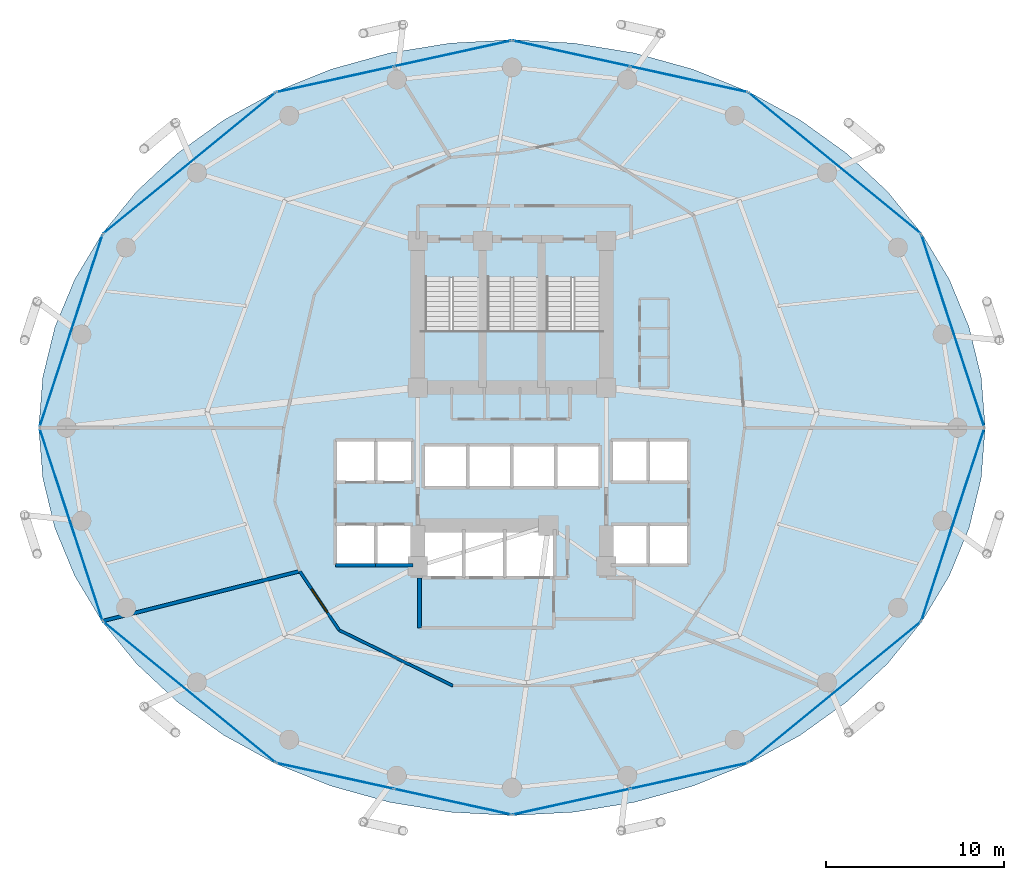
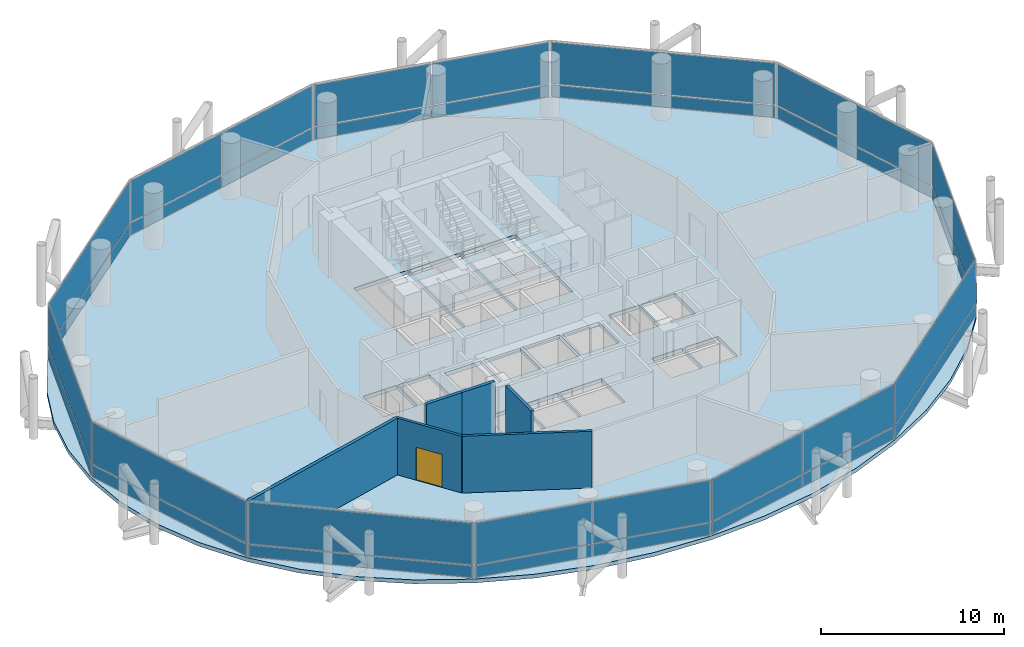
# One storey, part 20 of 24: 32 plates, 6 walls, 4 slabs, 1 door, 1 opening, 15 elements without a shape of their own.
"""IFC4 building model written with IfcOpenShell, lengths in metres."""

import ifcopenshell
import ifcopenshell.guid

model = None  # the IFC model being written
_history = None  # IfcOwnerHistory: only IFC2X3 demands one
_inside = {}  # id of a spatial element -> (the spatial element, [elements in it])
_under = {}  # id of a project, library or spatial element -> (it, [spatial elements below it])
_declared = {}  # id of a project -> (the project, [libraries it declares])
_typed = {}  # id of a type object -> (the type object, [elements of that type])
_made_of = {}  # id of a material, layer set ... -> (it, [elements and type objects made of it])


def new_model(schema):
    """Start an empty IFC model of exactly this schema.

    Asked for "IFC4X3", IfcOpenShell would pick the latest addendum, in which some entities
    have other attributes; the version numbers below select the first issue.
    IFC2X3 requires an IfcOwnerHistory on every rooted entity: one is made here for all.
    """
    global model, _history
    if schema == "IFC4X3":
        model = ifcopenshell.file(schema_version=(4, 3, 0, 0))
    else:
        model = ifcopenshell.file(schema=schema)
    _inside.clear()
    _under.clear()
    _declared.clear()
    _typed.clear()
    _made_of.clear()
    _history = None
    if model.schema == "IFC2X3":
        org = make("IfcOrganization", Name="unknown")
        user = make(
            "IfcPersonAndOrganization",
            ThePerson=make("IfcPerson", FamilyName="unknown"),
            TheOrganization=org,
        )
        app = make(
            "IfcApplication",
            ApplicationDeveloper=org,
            Version="unknown",
            ApplicationFullName="unknown",
            ApplicationIdentifier="unknown",
        )
        _history = make(
            "IfcOwnerHistory",
            OwningUser=user,
            OwningApplication=app,
            ChangeAction="ADDED",
            CreationDate=0,
        )
    return model


def make(cls, **values):
    """One entity of the class cls with the attributes given. An attribute that is None is left unset."""
    return model.create_entity(
        cls, **{name: value for name, value in values.items() if value is not None}
    )


def rooted(cls, **values):
    """An entity with a GlobalId (a new one), such as an element, a storey or a relation."""
    return make(cls, GlobalId=ifcopenshell.guid.new(), OwnerHistory=_history, **values)


def si_unit(unit_type, name, prefix=None):
    """IfcSIUnit, for example si_unit("LENGTHUNIT", "METRE", prefix="MILLI")."""
    return make("IfcSIUnit", UnitType=unit_type, Prefix=prefix, Name=name)


def assignment(units):
    """IfcUnitAssignment: the units of a project."""
    return None if units is None else make("IfcUnitAssignment", Units=units)


def point(xyz):
    """IfcCartesianPoint."""
    return None if xyz is None else make("IfcCartesianPoint", Coordinates=xyz)


def direction(xyz):
    """IfcDirection."""
    return None if xyz is None else make("IfcDirection", DirectionRatios=xyz)


def frame(location, z_axis=None, x_axis=None):
    """IfcAxis2Placement3D, a coordinate frame: its origin and axes. An axis left out is left unset."""
    return make(
        "IfcAxis2Placement3D",
        Location=point(location),
        Axis=direction(z_axis),
        RefDirection=direction(x_axis),
    )


def frame_2d(location, x_axis=None):
    """IfcAxis2Placement2D, a coordinate frame in the plane: its origin and x axis."""
    return make(
        "IfcAxis2Placement2D", Location=point(location), RefDirection=direction(x_axis)
    )


def origin():
    """The frame at (0, 0, 0) with its axes left unset."""
    return frame((0.0, 0.0, 0.0))


def origin_2d():
    """The frame at (0, 0) in the plane with its x axis left unset."""
    return frame_2d((0.0, 0.0))


def place(relative_to, where):
    """IfcLocalPlacement: puts the frame where relative to a parent placement (None: the world)."""
    return make(
        "IfcLocalPlacement", PlacementRelTo=relative_to, RelativePlacement=where
    )


def context(
    kind, dimensions, precision=None, world=None, true_north=None, identifier=None
):
    """IfcGeometricRepresentationContext, for example the 3D "Model" context."""
    return make(
        "IfcGeometricRepresentationContext",
        ContextIdentifier=identifier,
        ContextType=kind,
        CoordinateSpaceDimension=dimensions,
        Precision=precision,
        WorldCoordinateSystem=world,
        TrueNorth=true_north,
    )


def subcontext(parent, identifier, kind, view, scale=None):
    """IfcGeometricRepresentationSubContext, for example "Body" below "Model"."""
    return make(
        "IfcGeometricRepresentationSubContext",
        ContextIdentifier=identifier,
        ContextType=kind,
        ParentContext=parent,
        TargetScale=scale,
        TargetView=view,
    )


def project(units=None, contexts=None):
    """IfcProject with its units and contexts."""
    return rooted(
        "IfcProject",
        Name="project",
        RepresentationContexts=contexts,
        UnitsInContext=assignment(units),
    )


def spatial(cls, under=None, at=None, **own):
    """A site, building, storey or space (cls), placed at a placement, below another one or the project."""
    s = rooted(cls, ObjectPlacement=at, **own)
    if under is not None:
        _under.setdefault(under.id(), (under, []))[1].append(s)
    return s


def polyline(points):
    """IfcPolyline through the points."""
    return make("IfcPolyline", Points=[point(p) for p in points])


def profile(cls, at=None, kind="AREA", **sizes):
    """A parametric profile (cls). Its sizes go by their IFC names, for example OverallWidth=200.0."""
    return make(cls, ProfileType=kind, Position=at, **sizes)


def rectangle(**sizes):
    """IfcRectangleProfileDef."""
    return profile("IfcRectangleProfileDef", **sizes)


def outline(outer, holes=None, kind="AREA"):
    """IfcArbitraryClosedProfileDef: a profile drawn as a closed curve; with holes, ...WithVoids."""
    if holes is None:
        return make("IfcArbitraryClosedProfileDef", ProfileType=kind, OuterCurve=outer)
    return make(
        "IfcArbitraryProfileDefWithVoids",
        ProfileType=kind,
        OuterCurve=outer,
        InnerCurves=holes,
    )


def extrude(swept, where, along, depth):
    """IfcExtrudedAreaSolid: the profile swept, set in the frame where, extruded along a direction by depth."""
    return make(
        "IfcExtrudedAreaSolid",
        SweptArea=swept,
        Position=where,
        ExtrudedDirection=direction(along),
        Depth=depth,
    )


def shape(context_of_items, identifier, shape_type, items):
    """IfcShapeRepresentation: the items that make up one representation, for example the "Body"."""
    return make(
        "IfcShapeRepresentation",
        ContextOfItems=context_of_items,
        RepresentationIdentifier=identifier,
        RepresentationType=shape_type,
        Items=items,
    )


def material(Name=None, Category=None):
    """IfcMaterial."""
    return make("IfcMaterial", Name=Name, Category=Category)


def layer(
    of_material, thickness, ventilated=None, Name=None, Category=None, Priority=None
):
    """IfcMaterialLayer: one layer of a wall or slab, of a material (None: an air gap)."""
    return make(
        "IfcMaterialLayer",
        Material=of_material,
        LayerThickness=thickness,
        IsVentilated=ventilated,
        Name=Name,
        Category=Category,
        Priority=Priority,
    )


def layer_set(layers, Name=None):
    """IfcMaterialLayerSet."""
    return make("IfcMaterialLayerSet", MaterialLayers=layers, LayerSetName=Name)


def made_of(thing, what):
    """Note that an element or type object is made of a material, layer set ...; save() writes the relation."""
    if what is not None:
        _made_of.setdefault(what.id(), (what, []))[1].append(thing)
    return thing


def type_object(cls, material=None, **own):
    """A type object (cls), such as IfcWallType, which elements share."""
    return made_of(rooted(cls, **own), material)


def element(
    cls,
    number,
    at=None,
    inside=None,
    cuts=None,
    type_object=None,
    material=None,
    context=None,
    identifier="Body",
    shape_type=None,
    held_by="IfcProductDefinitionShape",
    body=None,
    shapes=None,
    **own,
):
    """One element of the class cls, such as IfcWall. Its Tag is "e" and its number.

    at: its placement. inside: the storey or other place that contains it. cuts: it is an
    opening in that element (IfcRelVoidsElement). A single representation is given by context,
    identifier, shape_type and body (its items); several are given by shapes. held_by: the class
    of the entity that holds the representations. save() writes the other relations.
    """
    e = rooted(cls, Tag="e%d" % number, ObjectPlacement=at, **own)
    if body is not None:
        shapes = [shape(context, identifier, shape_type, body)]
    if shapes is not None:
        e.Representation = make(held_by, Representations=shapes)
    if inside is not None:
        _inside.setdefault(inside.id(), (inside, []))[1].append(e)
    if cuts is not None:
        rooted(
            "IfcRelVoidsElement", RelatingBuildingElement=cuts, RelatedOpeningElement=e
        )
    if type_object is not None:
        _typed.setdefault(type_object.id(), (type_object, []))[1].append(e)
    return made_of(e, material)


def fill(opening, filler):
    """IfcRelFillsElement: the door or window that sits in an opening."""
    return rooted(
        "IfcRelFillsElement",
        RelatingOpeningElement=opening,
        RelatedBuildingElement=filler,
    )


def aggregate(whole, parts):
    """IfcRelAggregates: a whole, such as a stair, and the parts it consists of."""
    return rooted("IfcRelAggregates", RelatingObject=whole, RelatedObjects=parts)


def save(model, path):
    """Write the relations noted so far, then the file.

    IfcRelAggregates (storeys below a building ...), IfcRelContainedInSpatialStructure (elements
    in a storey), IfcRelDefinesByType, IfcRelAssociatesMaterial and IfcRelDeclares: one each for
    every whole, place, type object, material and project.
    """
    for whole, parts in _under.values():
        aggregate(whole, parts)
    for where, things in _inside.values():
        rooted(
            "IfcRelContainedInSpatialStructure",
            RelatedElements=things,
            RelatingStructure=where,
        )
    for kind, things in _typed.values():
        rooted("IfcRelDefinesByType", RelatedObjects=things, RelatingType=kind)
    for what, things in _made_of.values():
        rooted("IfcRelAssociatesMaterial", RelatedObjects=things, RelatingMaterial=what)
    for by, libraries in _declared.values():
        rooted("IfcRelDeclares", RelatingContext=by, RelatedDefinitions=libraries)
    model.write(path)


model = new_model("IFC4")

# Units and contexts
model_context = context("Model", 3, precision=1e-05, world=origin(), true_north=direction((0.0, 1.0)))
body_context = subcontext(model_context, "Body", "Model", "MODEL_VIEW")
ifc_project = project(units=[si_unit("LENGTHUNIT", "METRE"), si_unit("AREAUNIT", "SQUARE_METRE"), si_unit("VOLUMEUNIT", "CUBIC_METRE"), si_unit("PLANEANGLEUNIT", "RADIAN"), si_unit("MASSUNIT", "GRAM", prefix="KILO")], contexts=[model_context])

# Site, building, storey
site_placement = place(None, origin())
site = spatial("IfcSite", under=ifc_project, at=site_placement, CompositionType="ELEMENT")
building_placement = place(site_placement, origin())
building = spatial("IfcBuilding", under=site, at=building_placement, Name="Nuhasar Tower", CompositionType="ELEMENT")
storey_placement = place(building_placement, frame((0.0, 0.0, 29.10009765625)))
storey = spatial("IfcBuildingStorey", under=building, at=storey_placement, Name="L06", CompositionType="ELEMENT", Elevation=29.10009765625)

# Curtain wall, plate
ifc_material_1 = material(Name="Aluminium 6063-T6", Category="aluminium")
ifc_layer_1 = layer(ifc_material_1, 0.199951171875)
ifc_layer_set_1 = layer_set([ifc_layer_1], Name="Aluminium 6063-T6")
curtain_wall_type = type_object("IfcCurtainWallType", Name="CW-Z1-OFF", PredefinedType="NOTDEFINED", material=ifc_layer_set_1)
curtain_wall_1_placement = place(storey_placement, origin())
curtain_wall_1 = element("IfcCurtainWall", 1, at=curtain_wall_1_placement, inside=storey, type_object=curtain_wall_type, Name="L06 Unitised Curtain Wall 01", PredefinedType="NOTDEFINED")
ifc_material_2 = material(Name="Glass Double Low-E", Category="glass")
ifc_layer_2 = layer(ifc_material_2, 0.028076171875)
ifc_layer_set_2 = layer_set([ifc_layer_2], Name="Glass Double Low-E")
plate_type_1 = type_object("IfcPlateType", Name="CW-PANEL-GLZ", PredefinedType="CURTAIN_PANEL", material=ifc_layer_set_2)
plate_1_placement = place(storey_placement, frame((63.781005859375, 32.239990234375, 0.932373046875), z_axis=(0.0, 0.0, 1.0), x_axis=(-0.310823849997, 0.950467534571, 0.0)))
plate_1 = element("IfcPlate", 2, at=plate_1_placement, type_object=plate_type_1, Name="CW-Z1 panel 1.2", PredefinedType="CURTAIN_PANEL", context=body_context, shape_type="SweptSolid", body=[
    extrude(rectangle(XDim=11.31689453125, YDim=0.028076171875, at=origin_2d()), origin(), (0.0, 0.0, 1.0), 2.79248046875),
])

curtain_wall_2_placement = place(storey_placement, origin())
curtain_wall_2 = element("IfcCurtainWall", 3, at=curtain_wall_2_placement, inside=storey, type_object=curtain_wall_type, Name="L06 Unitised Curtain Wall 02", PredefinedType="NOTDEFINED")
plate_2_placement = place(storey_placement, frame((57.14111328125, 41.66259765625, 0.932373046875), z_axis=(0.0, 0.0, 1.0), x_axis=(-0.773542364946, 0.633744593376, 0.0)))
plate_2 = element("IfcPlate", 4, at=plate_2_placement, type_object=plate_type_1, Name="CW-Z1 panel 1.2", PredefinedType="CURTAIN_PANEL", context=body_context, shape_type="SweptSolid", body=[
    extrude(rectangle(XDim=12.438232421875, YDim=0.028076171875, at=origin_2d()), origin(), (0.0, 0.0, 1.0), 2.79248046875),
])

# Curtain wall, plates
curtain_wall_3_placement = place(storey_placement, origin())
curtain_wall_3 = element("IfcCurtainWall", 5, at=curtain_wall_3_placement, inside=storey, type_object=curtain_wall_type, Name="L06 Unitised Curtain Wall 03", PredefinedType="NOTDEFINED")
plate_3_placement = place(storey_placement, frame((48.944091796875, 46.377197265625, 0.932373046875), z_axis=(0.0, 0.0, 1.0), x_axis=(-0.976746221544, 0.214398737637, 0.0)))
plate_3 = element("IfcPlate", 6, at=plate_3_placement, type_object=plate_type_1, Name="CW-Z1 panel 1.2", PredefinedType="CURTAIN_PANEL", context=body_context, shape_type="SweptSolid", body=[
    extrude(rectangle(XDim=6.70068359375, YDim=0.028076171875, at=origin_2d()), origin(), (0.0, 0.0, 1.0), 2.79248046875),
])
plate_4_placement = place(storey_placement, frame((42.3359375, 47.827880859375, 0.932373046875), z_axis=(0.0, 0.0, 1.0), x_axis=(-0.976746221544, 0.214398737637, 0.0)))
plate_4 = element("IfcPlate", 7, at=plate_4_placement, type_object=plate_type_1, Name="CW-Z1 panel 2.2", PredefinedType="CURTAIN_PANEL", context=body_context, shape_type="SweptSolid", body=[
    extrude(rectangle(XDim=6.70068359375, YDim=0.028076171875, at=origin_2d()), origin(), (0.0, 0.0, 1.0), 2.79248046875),
])

curtain_wall_4_placement = place(storey_placement, origin())
curtain_wall_4 = element("IfcCurtainWall", 8, at=curtain_wall_4_placement, inside=storey, type_object=curtain_wall_type, Name="L06 Unitised Curtain Wall 04", PredefinedType="NOTDEFINED")
plate_5_placement = place(storey_placement, frame((35.6640625, 47.827880859375, 0.932373046875), z_axis=(0.0, 0.0, 1.0), x_axis=(-0.976746221544, -0.214398737637, 0.0)))
plate_5 = element("IfcPlate", 9, at=plate_5_placement, type_object=plate_type_1, Name="CW-Z1 panel 1.2", PredefinedType="CURTAIN_PANEL", context=body_context, shape_type="SweptSolid", body=[
    extrude(rectangle(XDim=6.70068359375, YDim=0.028076171875, at=origin_2d()), origin(), (0.0, 0.0, 1.0), 2.79248046875),
])
plate_6_placement = place(storey_placement, frame((29.055908203125, 46.377197265625, 0.932373046875), z_axis=(0.0, 0.0, 1.0), x_axis=(-0.976746221544, -0.214398737637, 0.0)))
plate_6 = element("IfcPlate", 10, at=plate_6_placement, type_object=plate_type_1, Name="CW-Z1 panel 2.2", PredefinedType="CURTAIN_PANEL", context=body_context, shape_type="SweptSolid", body=[
    extrude(rectangle(XDim=6.70068359375, YDim=0.028076171875, at=origin_2d()), origin(), (0.0, 0.0, 1.0), 2.79248046875),
])

# Curtain wall, plate
curtain_wall_5_placement = place(storey_placement, origin())
curtain_wall_5 = element("IfcCurtainWall", 11, at=curtain_wall_5_placement, inside=storey, type_object=curtain_wall_type, Name="L06 Unitised Curtain Wall 05", PredefinedType="NOTDEFINED")
plate_7_placement = place(storey_placement, frame((20.85888671875, 41.66259765625, 0.932373046875), z_axis=(0.0, 0.0, 1.0), x_axis=(-0.773542364946, -0.633744593376, 0.0)))
plate_7 = element("IfcPlate", 12, at=plate_7_placement, type_object=plate_type_1, Name="CW-Z1 panel 1.2", PredefinedType="CURTAIN_PANEL", context=body_context, shape_type="SweptSolid", body=[
    extrude(rectangle(XDim=12.438232421875, YDim=0.028076171875, at=origin_2d()), origin(), (0.0, 0.0, 1.0), 2.79248046875),
])

curtain_wall_6_placement = place(storey_placement, origin())
curtain_wall_6 = element("IfcCurtainWall", 13, at=curtain_wall_6_placement, inside=storey, type_object=curtain_wall_type, Name="L06 Unitised Curtain Wall 06", PredefinedType="NOTDEFINED")
plate_8_placement = place(storey_placement, frame((14.218994140625, 32.239990234375, 0.932373046875), z_axis=(0.0, 0.0, 1.0), x_axis=(-0.310823849997, -0.950467534571, 0.0)))
plate_8 = element("IfcPlate", 14, at=plate_8_placement, type_object=plate_type_1, Name="CW-Z1 panel 1.2", PredefinedType="CURTAIN_PANEL", context=body_context, shape_type="SweptSolid", body=[
    extrude(rectangle(XDim=11.31689453125, YDim=0.028076171875, at=origin_2d()), origin(), (0.0, 0.0, 1.0), 2.79248046875),
])

curtain_wall_7_placement = place(storey_placement, origin())
curtain_wall_7 = element("IfcCurtainWall", 15, at=curtain_wall_7_placement, inside=storey, type_object=curtain_wall_type, Name="L06 Unitised Curtain Wall 07", PredefinedType="NOTDEFINED")
plate_9_placement = place(storey_placement, frame((14.218994140625, 21.360107421875, 0.932373046875), z_axis=(0.0, 0.0, 1.0), x_axis=(0.310823849997, -0.950467534571, 0.0)))
plate_9 = element("IfcPlate", 16, at=plate_9_placement, type_object=plate_type_1, Name="CW-Z1 panel 1.2", PredefinedType="CURTAIN_PANEL", context=body_context, shape_type="SweptSolid", body=[
    extrude(rectangle(XDim=11.31689453125, YDim=0.028076171875, at=origin_2d()), origin(), (0.0, 0.0, 1.0), 2.79248046875),
])

curtain_wall_8_placement = place(storey_placement, origin())
curtain_wall_8 = element("IfcCurtainWall", 17, at=curtain_wall_8_placement, inside=storey, type_object=curtain_wall_type, Name="L06 Unitised Curtain Wall 08", PredefinedType="NOTDEFINED")
plate_10_placement = place(storey_placement, frame((20.85888671875, 11.9375, 0.932373046875), z_axis=(0.0, 0.0, 1.0), x_axis=(0.773542364946, -0.633744593376, 0.0)))
plate_10 = element("IfcPlate", 18, at=plate_10_placement, type_object=plate_type_1, Name="CW-Z1 panel 1.2", PredefinedType="CURTAIN_PANEL", context=body_context, shape_type="SweptSolid", body=[
    extrude(rectangle(XDim=12.438232421875, YDim=0.028076171875, at=origin_2d()), origin(), (0.0, 0.0, 1.0), 2.79248046875),
])

# Curtain wall, plates
curtain_wall_9_placement = place(storey_placement, origin())
curtain_wall_9 = element("IfcCurtainWall", 19, at=curtain_wall_9_placement, inside=storey, type_object=curtain_wall_type, Name="L06 Unitised Curtain Wall 09", PredefinedType="NOTDEFINED")
plate_11_placement = place(storey_placement, frame((29.055908203125, 7.22265625, 0.932373046875), z_axis=(0.0, 0.0, 1.0), x_axis=(0.976746221544, -0.214398737637, 0.0)))
plate_11 = element("IfcPlate", 20, at=plate_11_placement, type_object=plate_type_1, Name="CW-Z1 panel 1.2", PredefinedType="CURTAIN_PANEL", context=body_context, shape_type="SweptSolid", body=[
    extrude(rectangle(XDim=6.70068359375, YDim=0.028076171875, at=origin_2d()), origin(), (0.0, 0.0, 1.0), 2.79248046875),
])
plate_12_placement = place(storey_placement, frame((35.6640625, 5.772216796875, 0.932373046875), z_axis=(0.0, 0.0, 1.0), x_axis=(0.976746221544, -0.214398737637, 0.0)))
plate_12 = element("IfcPlate", 21, at=plate_12_placement, type_object=plate_type_1, Name="CW-Z1 panel 2.2", PredefinedType="CURTAIN_PANEL", context=body_context, shape_type="SweptSolid", body=[
    extrude(rectangle(XDim=6.70068359375, YDim=0.028076171875, at=origin_2d()), origin(), (0.0, 0.0, 1.0), 2.79248046875),
])

curtain_wall_10_placement = place(storey_placement, origin())
curtain_wall_10 = element("IfcCurtainWall", 22, at=curtain_wall_10_placement, inside=storey, type_object=curtain_wall_type, Name="L06 Unitised Curtain Wall 10", PredefinedType="NOTDEFINED")
plate_13_placement = place(storey_placement, frame((42.3359375, 5.772216796875, 0.932373046875), z_axis=(0.0, 0.0, 1.0), x_axis=(0.976746221544, 0.214398737637, 0.0)))
plate_13 = element("IfcPlate", 23, at=plate_13_placement, type_object=plate_type_1, Name="CW-Z1 panel 1.2", PredefinedType="CURTAIN_PANEL", context=body_context, shape_type="SweptSolid", body=[
    extrude(rectangle(XDim=6.70068359375, YDim=0.028076171875, at=origin_2d()), origin(), (0.0, 0.0, 1.0), 2.79248046875),
])
plate_14_placement = place(storey_placement, frame((48.944091796875, 7.22265625, 0.932373046875), z_axis=(0.0, 0.0, 1.0), x_axis=(0.976746221544, 0.214398737637, 0.0)))
plate_14 = element("IfcPlate", 24, at=plate_14_placement, type_object=plate_type_1, Name="CW-Z1 panel 2.2", PredefinedType="CURTAIN_PANEL", context=body_context, shape_type="SweptSolid", body=[
    extrude(rectangle(XDim=6.70068359375, YDim=0.028076171875, at=origin_2d()), origin(), (0.0, 0.0, 1.0), 2.79248046875),
])

# Curtain wall, plate
curtain_wall_11_placement = place(storey_placement, origin())
curtain_wall_11 = element("IfcCurtainWall", 25, at=curtain_wall_11_placement, inside=storey, type_object=curtain_wall_type, Name="L06 Unitised Curtain Wall 11", PredefinedType="NOTDEFINED")
plate_15_placement = place(storey_placement, frame((57.14111328125, 11.9375, 0.932373046875), z_axis=(0.0, 0.0, 1.0), x_axis=(0.773542364946, 0.633744593376, 0.0)))
plate_15 = element("IfcPlate", 26, at=plate_15_placement, type_object=plate_type_1, Name="CW-Z1 panel 1.2", PredefinedType="CURTAIN_PANEL", context=body_context, shape_type="SweptSolid", body=[
    extrude(rectangle(XDim=12.438232421875, YDim=0.028076171875, at=origin_2d()), origin(), (0.0, 0.0, 1.0), 2.79248046875),
])

curtain_wall_12_placement = place(storey_placement, origin())
curtain_wall_12 = element("IfcCurtainWall", 27, at=curtain_wall_12_placement, inside=storey, type_object=curtain_wall_type, Name="L06 Unitised Curtain Wall 12", PredefinedType="NOTDEFINED")
plate_16_placement = place(storey_placement, frame((63.781005859375, 21.360107421875, 0.932373046875), z_axis=(0.0, 0.0, 1.0), x_axis=(0.310823849997, 0.950467534571, 0.0)))
plate_16 = element("IfcPlate", 28, at=plate_16_placement, type_object=plate_type_1, Name="CW-Z1 panel 1.2", PredefinedType="CURTAIN_PANEL", context=body_context, shape_type="SweptSolid", body=[
    extrude(rectangle(XDim=11.31689453125, YDim=0.028076171875, at=origin_2d()), origin(), (0.0, 0.0, 1.0), 2.79248046875),
])

# Plate
ifc_material_3 = material(Name="Glass Spandrel", Category="glass")
ifc_layer_3 = layer(ifc_material_3, 0.035888671875)
ifc_layer_set_3 = layer_set([ifc_layer_3], Name="Glass Spandrel")
plate_type_2 = type_object("IfcPlateType", Name="CW-PANEL-SPN", PredefinedType="CURTAIN_PANEL", material=ifc_layer_set_3)
plate_17_placement = place(storey_placement, frame((63.781005859375, 32.239990234375, 0.06494140625), z_axis=(0.0, 0.0, 1.0), x_axis=(-0.310823849997, 0.950467534571, 0.0)))
plate_17 = element("IfcPlate", 29, at=plate_17_placement, type_object=plate_type_2, Name="CW-Z1 panel 1.1", PredefinedType="CURTAIN_PANEL", context=body_context, shape_type="SweptSolid", body=[
    extrude(rectangle(XDim=11.31689453125, YDim=0.035888671875, at=origin_2d()), origin(), (0.0, 0.0, 1.0), 0.802490234375),
])

aggregate(curtain_wall_1, [plate_17, plate_1])

plate_18_placement = place(storey_placement, frame((57.14111328125, 41.66259765625, 0.06494140625), z_axis=(0.0, 0.0, 1.0), x_axis=(-0.773542364946, 0.633744593376, 0.0)))
plate_18 = element("IfcPlate", 30, at=plate_18_placement, type_object=plate_type_2, Name="CW-Z1 panel 1.1", PredefinedType="CURTAIN_PANEL", context=body_context, shape_type="SweptSolid", body=[
    extrude(rectangle(XDim=12.438232421875, YDim=0.035888671875, at=origin_2d()), origin(), (0.0, 0.0, 1.0), 0.802490234375),
])

aggregate(curtain_wall_2, [plate_18, plate_2])

plate_19_placement = place(storey_placement, frame((48.944091796875, 46.377197265625, 0.06494140625), z_axis=(0.0, 0.0, 1.0), x_axis=(-0.976746221544, 0.214398737637, 0.0)))
plate_19 = element("IfcPlate", 31, at=plate_19_placement, type_object=plate_type_2, Name="CW-Z1 panel 1.1", PredefinedType="CURTAIN_PANEL", context=body_context, shape_type="SweptSolid", body=[
    extrude(rectangle(XDim=6.70068359375, YDim=0.035888671875, at=origin_2d()), origin(), (0.0, 0.0, 1.0), 0.802490234375),
])

plate_20_placement = place(storey_placement, frame((42.3359375, 47.827880859375, 0.06494140625), z_axis=(0.0, 0.0, 1.0), x_axis=(-0.976746221544, 0.214398737637, 0.0)))
plate_20 = element("IfcPlate", 32, at=plate_20_placement, type_object=plate_type_2, Name="CW-Z1 panel 2.1", PredefinedType="CURTAIN_PANEL", context=body_context, shape_type="SweptSolid", body=[
    extrude(rectangle(XDim=6.70068359375, YDim=0.035888671875, at=origin_2d()), origin(), (0.0, 0.0, 1.0), 0.802490234375),
])

aggregate(curtain_wall_3, [plate_19, plate_3, plate_20, plate_4])

plate_21_placement = place(storey_placement, frame((35.6640625, 47.827880859375, 0.06494140625), z_axis=(0.0, 0.0, 1.0), x_axis=(-0.976746221544, -0.214398737637, 0.0)))
plate_21 = element("IfcPlate", 33, at=plate_21_placement, type_object=plate_type_2, Name="CW-Z1 panel 1.1", PredefinedType="CURTAIN_PANEL", context=body_context, shape_type="SweptSolid", body=[
    extrude(rectangle(XDim=6.70068359375, YDim=0.035888671875, at=origin_2d()), origin(), (0.0, 0.0, 1.0), 0.802490234375),
])

plate_22_placement = place(storey_placement, frame((29.055908203125, 46.377197265625, 0.06494140625), z_axis=(0.0, 0.0, 1.0), x_axis=(-0.976746221544, -0.214398737637, 0.0)))
plate_22 = element("IfcPlate", 34, at=plate_22_placement, type_object=plate_type_2, Name="CW-Z1 panel 2.1", PredefinedType="CURTAIN_PANEL", context=body_context, shape_type="SweptSolid", body=[
    extrude(rectangle(XDim=6.70068359375, YDim=0.035888671875, at=origin_2d()), origin(), (0.0, 0.0, 1.0), 0.802490234375),
])

aggregate(curtain_wall_4, [plate_21, plate_5, plate_22, plate_6])

plate_23_placement = place(storey_placement, frame((20.85888671875, 41.66259765625, 0.06494140625), z_axis=(0.0, 0.0, 1.0), x_axis=(-0.773542364946, -0.633744593376, 0.0)))
plate_23 = element("IfcPlate", 35, at=plate_23_placement, type_object=plate_type_2, Name="CW-Z1 panel 1.1", PredefinedType="CURTAIN_PANEL", context=body_context, shape_type="SweptSolid", body=[
    extrude(rectangle(XDim=12.438232421875, YDim=0.035888671875, at=origin_2d()), origin(), (0.0, 0.0, 1.0), 0.802490234375),
])

aggregate(curtain_wall_5, [plate_23, plate_7])

plate_24_placement = place(storey_placement, frame((14.218994140625, 32.239990234375, 0.06494140625), z_axis=(0.0, 0.0, 1.0), x_axis=(-0.310823849997, -0.950467534571, 0.0)))
plate_24 = element("IfcPlate", 36, at=plate_24_placement, type_object=plate_type_2, Name="CW-Z1 panel 1.1", PredefinedType="CURTAIN_PANEL", context=body_context, shape_type="SweptSolid", body=[
    extrude(rectangle(XDim=11.31689453125, YDim=0.035888671875, at=origin_2d()), origin(), (0.0, 0.0, 1.0), 0.802490234375),
])

aggregate(curtain_wall_6, [plate_24, plate_8])

plate_25_placement = place(storey_placement, frame((14.218994140625, 21.360107421875, 0.06494140625), z_axis=(0.0, 0.0, 1.0), x_axis=(0.310823849997, -0.950467534571, 0.0)))
plate_25 = element("IfcPlate", 37, at=plate_25_placement, type_object=plate_type_2, Name="CW-Z1 panel 1.1", PredefinedType="CURTAIN_PANEL", context=body_context, shape_type="SweptSolid", body=[
    extrude(rectangle(XDim=11.31689453125, YDim=0.035888671875, at=origin_2d()), origin(), (0.0, 0.0, 1.0), 0.802490234375),
])

aggregate(curtain_wall_7, [plate_25, plate_9])

plate_26_placement = place(storey_placement, frame((20.85888671875, 11.9375, 0.06494140625), z_axis=(0.0, 0.0, 1.0), x_axis=(0.773542364946, -0.633744593376, 0.0)))
plate_26 = element("IfcPlate", 38, at=plate_26_placement, type_object=plate_type_2, Name="CW-Z1 panel 1.1", PredefinedType="CURTAIN_PANEL", context=body_context, shape_type="SweptSolid", body=[
    extrude(rectangle(XDim=12.438232421875, YDim=0.035888671875, at=origin_2d()), origin(), (0.0, 0.0, 1.0), 0.802490234375),
])

aggregate(curtain_wall_8, [plate_26, plate_10])

plate_27_placement = place(storey_placement, frame((29.055908203125, 7.22265625, 0.06494140625), z_axis=(0.0, 0.0, 1.0), x_axis=(0.976746221544, -0.214398737637, 0.0)))
plate_27 = element("IfcPlate", 39, at=plate_27_placement, type_object=plate_type_2, Name="CW-Z1 panel 1.1", PredefinedType="CURTAIN_PANEL", context=body_context, shape_type="SweptSolid", body=[
    extrude(rectangle(XDim=6.70068359375, YDim=0.035888671875, at=origin_2d()), origin(), (0.0, 0.0, 1.0), 0.802490234375),
])

plate_28_placement = place(storey_placement, frame((35.6640625, 5.772216796875, 0.06494140625), z_axis=(0.0, 0.0, 1.0), x_axis=(0.976746221544, -0.214398737637, 0.0)))
plate_28 = element("IfcPlate", 40, at=plate_28_placement, type_object=plate_type_2, Name="CW-Z1 panel 2.1", PredefinedType="CURTAIN_PANEL", context=body_context, shape_type="SweptSolid", body=[
    extrude(rectangle(XDim=6.70068359375, YDim=0.035888671875, at=origin_2d()), origin(), (0.0, 0.0, 1.0), 0.802490234375),
])

aggregate(curtain_wall_9, [plate_27, plate_11, plate_28, plate_12])

plate_29_placement = place(storey_placement, frame((42.3359375, 5.772216796875, 0.06494140625), z_axis=(0.0, 0.0, 1.0), x_axis=(0.976746221544, 0.214398737637, 0.0)))
plate_29 = element("IfcPlate", 41, at=plate_29_placement, type_object=plate_type_2, Name="CW-Z1 panel 1.1", PredefinedType="CURTAIN_PANEL", context=body_context, shape_type="SweptSolid", body=[
    extrude(rectangle(XDim=6.70068359375, YDim=0.035888671875, at=origin_2d()), origin(), (0.0, 0.0, 1.0), 0.802490234375),
])

plate_30_placement = place(storey_placement, frame((48.944091796875, 7.22265625, 0.06494140625), z_axis=(0.0, 0.0, 1.0), x_axis=(0.976746221544, 0.214398737637, 0.0)))
plate_30 = element("IfcPlate", 42, at=plate_30_placement, type_object=plate_type_2, Name="CW-Z1 panel 2.1", PredefinedType="CURTAIN_PANEL", context=body_context, shape_type="SweptSolid", body=[
    extrude(rectangle(XDim=6.70068359375, YDim=0.035888671875, at=origin_2d()), origin(), (0.0, 0.0, 1.0), 0.802490234375),
])

aggregate(curtain_wall_10, [plate_29, plate_13, plate_30, plate_14])

plate_31_placement = place(storey_placement, frame((57.14111328125, 11.9375, 0.06494140625), z_axis=(0.0, 0.0, 1.0), x_axis=(0.773542364946, 0.633744593376, 0.0)))
plate_31 = element("IfcPlate", 43, at=plate_31_placement, type_object=plate_type_2, Name="CW-Z1 panel 1.1", PredefinedType="CURTAIN_PANEL", context=body_context, shape_type="SweptSolid", body=[
    extrude(rectangle(XDim=12.438232421875, YDim=0.035888671875, at=origin_2d()), origin(), (0.0, 0.0, 1.0), 0.802490234375),
])

aggregate(curtain_wall_11, [plate_31, plate_15])

plate_32_placement = place(storey_placement, frame((63.781005859375, 21.360107421875, 0.06494140625), z_axis=(0.0, 0.0, 1.0), x_axis=(0.310823849997, 0.950467534571, 0.0)))
plate_32 = element("IfcPlate", 44, at=plate_32_placement, type_object=plate_type_2, Name="CW-Z1 panel 1.1", PredefinedType="CURTAIN_PANEL", context=body_context, shape_type="SweptSolid", body=[
    extrude(rectangle(XDim=11.31689453125, YDim=0.035888671875, at=origin_2d()), origin(), (0.0, 0.0, 1.0), 0.802490234375),
])

aggregate(curtain_wall_12, [plate_32, plate_16])

# Stair, slab
ifc_material_4 = material(Name="Concrete C45/55", Category="concrete")
stair_type_1 = type_object("IfcStairType", Name="STR-ST-01-2F-24R-1688", PredefinedType="HALF_TURN_STAIR", material=ifc_material_4)
stair_1_placement = place(storey_placement, origin())
stair_1 = element("IfcStair", 45, at=stair_1_placement, inside=storey, type_object=stair_type_1, Name="L06 Exit Stair ST-01", PredefinedType="HALF_TURN_STAIR")
ifc_layer_4 = layer(ifc_material_4, 0.239990234375)
ifc_layer_set_4 = layer_set([ifc_layer_4], Name="Concrete C45/55")
slab_type_1 = type_object("IfcSlabType", Name="SLB-STAIR-LND-240", PredefinedType="LANDING", material=ifc_layer_set_4)
slab_1_placement = place(storey_placement, frame((0.0, 0.0, 1.784912109375)))
slab_1 = element("IfcSlab", 46, at=slab_1_placement, type_object=slab_type_1, Name="ST-01 landing 1", PredefinedType="LANDING", context=body_context, shape_type="SweptSolid", body=[
    extrude(outline(polyline([(33.699951171875, 28.75), (37.35009765625, 28.75), (37.35009765625, 32.239990234375), (33.699951171875, 32.239990234375), (33.699951171875, 28.75)])), origin(), (0.0, 0.0, 1.0), 0.239990234375),
])
aggregate(stair_1, [slab_1])

stair_type_2 = type_object("IfcStairType", Name="STR-ST-03-2F-24R-1688", PredefinedType="HALF_TURN_STAIR", material=ifc_material_4)
stair_2_placement = place(storey_placement, origin())
stair_2 = element("IfcStair", 47, at=stair_2_placement, inside=storey, type_object=stair_type_2, Name="L06 Exit Stair ST-03", PredefinedType="HALF_TURN_STAIR")
slab_2_placement = place(storey_placement, frame((0.0, 0.0, 1.784912109375)))
slab_2 = element("IfcSlab", 48, at=slab_2_placement, type_object=slab_type_1, Name="ST-03 landing 1", PredefinedType="LANDING", context=body_context, shape_type="SweptSolid", body=[
    extrude(outline(polyline([(37.35009765625, 28.75), (40.64990234375, 28.75), (40.64990234375, 32.239990234375), (37.35009765625, 32.239990234375), (37.35009765625, 28.75)])), origin(), (0.0, 0.0, 1.0), 0.239990234375),
])
aggregate(stair_2, [slab_2])

stair_type_3 = type_object("IfcStairType", Name="STR-ST-02-2F-24R-1688", PredefinedType="HALF_TURN_STAIR", material=ifc_material_4)
stair_3_placement = place(storey_placement, origin())
stair_3 = element("IfcStair", 49, at=stair_3_placement, inside=storey, type_object=stair_type_3, Name="L06 Exit Stair ST-02", PredefinedType="HALF_TURN_STAIR")
slab_3_placement = place(storey_placement, frame((0.0, 0.0, 1.784912109375)))
slab_3 = element("IfcSlab", 50, at=slab_3_placement, type_object=slab_type_1, Name="ST-02 landing 1", PredefinedType="LANDING", context=body_context, shape_type="SweptSolid", body=[
    extrude(outline(polyline([(40.64990234375, 28.75), (44.300048828125, 28.75), (44.300048828125, 32.239990234375), (40.64990234375, 32.239990234375), (40.64990234375, 28.75)])), origin(), (0.0, 0.0, 1.0), 0.239990234375),
])
aggregate(stair_3, [slab_3])

# Slab
ifc_material_5 = material(Name="Concrete C50/60", Category="concrete")
ifc_layer_5 = layer(ifc_material_5, 0.260009765625)
ifc_layer_set_5 = layer_set([ifc_layer_5], Name="Concrete C50/60")
slab_type_2 = type_object("IfcSlabType", Name="SLB-Z1A-260", PredefinedType="FLOOR", material=ifc_layer_set_5)
slab_4_placement = place(storey_placement, frame((0.0, 0.0, -0.260009765625)))
element("IfcSlab", 51, at=slab_4_placement, inside=storey, type_object=slab_type_2, Name="L06 Structural Slab", PredefinedType="FLOOR", context=body_context, shape_type="SweptSolid", body=[
    extrude(outline(polyline([(65.60009765625, 26.800048828125), (65.3720703125, 29.64501953125), (64.694091796875, 32.44189453125), (63.574951171875, 35.14208984375), (62.035888671875, 37.699951171875), (60.10302734375, 40.071044921875), (57.80908203125, 42.215087890625), (55.193115234375, 44.094970703125), (52.300048828125, 45.678955078125), (49.178955078125, 46.94091796875), (45.885009765625, 47.85693359375), (42.471923828125, 48.4130859375), (39.0, 48.60009765625), (35.528076171875, 48.4130859375), (32.114990234375, 47.85693359375), (28.821044921875, 46.94091796875), (25.699951171875, 45.678955078125), (22.806884765625, 44.094970703125), (20.19091796875, 42.215087890625), (17.89697265625, 40.071044921875), (15.964111328125, 37.699951171875), (14.425048828125, 35.14208984375), (13.305908203125, 32.44189453125), (12.6279296875, 29.64501953125), (12.39990234375, 26.800048828125), (12.6279296875, 23.955078125), (13.305908203125, 21.157958984375), (14.425048828125, 18.4580078125), (15.964111328125, 15.89990234375), (17.89697265625, 13.529052734375), (20.19091796875, 11.385009765625), (22.806884765625, 9.5048828125), (25.699951171875, 7.9208984375), (28.821044921875, 6.658935546875), (32.114990234375, 5.742919921875), (35.528076171875, 5.18701171875), (39.0, 5.0), (42.471923828125, 5.18701171875), (45.885009765625, 5.742919921875), (49.178955078125, 6.658935546875), (52.300048828125, 7.9208984375), (55.193115234375, 9.5048828125), (57.80908203125, 11.385009765625), (60.10302734375, 13.529052734375), (62.035888671875, 15.89990234375), (63.574951171875, 18.4580078125), (64.694091796875, 21.157958984375), (65.3720703125, 23.955078125), (65.60009765625, 26.800048828125)]), holes=[polyline([(33.8798828125, 35.25), (37.300048828125, 35.25), (37.300048828125, 29.0), (33.8798828125, 29.0), (33.8798828125, 35.25)]), polyline([(37.39990234375, 35.25), (40.60009765625, 35.25), (40.60009765625, 29.0), (37.39990234375, 29.0), (37.39990234375, 35.25)]), polyline([(40.699951171875, 35.25), (44.1201171875, 35.25), (44.1201171875, 29.0), (40.699951171875, 29.0), (40.699951171875, 35.25)]), polyline([(29.14990234375, 26.050048828125), (31.300048828125, 26.050048828125), (31.300048828125, 23.800048828125), (29.14990234375, 23.800048828125), (29.14990234375, 26.050048828125)]), polyline([(31.39990234375, 26.050048828125), (33.35009765625, 26.050048828125), (33.35009765625, 23.800048828125), (31.39990234375, 23.800048828125), (31.39990234375, 26.050048828125)]), polyline([(29.14990234375, 21.300048828125), (31.300048828125, 21.300048828125), (31.300048828125, 19.14990234375), (29.14990234375, 19.14990234375), (29.14990234375, 21.300048828125)]), polyline([(31.39990234375, 21.300048828125), (33.35009765625, 21.300048828125), (33.35009765625, 19.14990234375), (31.39990234375, 19.14990234375), (31.39990234375, 21.300048828125)]), polyline([(44.64990234375, 26.050048828125), (46.60009765625, 26.050048828125), (46.60009765625, 23.800048828125), (44.64990234375, 23.800048828125), (44.64990234375, 26.050048828125)]), polyline([(46.699951171875, 26.050048828125), (48.85009765625, 26.050048828125), (48.85009765625, 23.800048828125), (46.699951171875, 23.800048828125), (46.699951171875, 26.050048828125)]), polyline([(44.64990234375, 21.300048828125), (46.60009765625, 21.300048828125), (46.60009765625, 19.14990234375), (44.64990234375, 19.14990234375), (44.64990234375, 21.300048828125)]), polyline([(46.699951171875, 21.300048828125), (48.85009765625, 21.300048828125), (48.85009765625, 19.14990234375), (46.699951171875, 19.14990234375), (46.699951171875, 21.300048828125)]), polyline([(34.10009765625, 25.75), (36.43994140625, 25.75), (36.43994140625, 23.5), (34.10009765625, 23.5), (34.10009765625, 25.75)]), polyline([(36.580078125, 25.75), (38.919921875, 25.75), (38.919921875, 23.5), (36.580078125, 23.5), (36.580078125, 25.75)]), polyline([(39.06005859375, 25.75), (41.39990234375, 25.75), (41.39990234375, 23.5), (39.06005859375, 23.5), (39.06005859375, 25.75)]), polyline([(41.5400390625, 25.75), (43.8798828125, 25.75), (43.8798828125, 23.5), (41.5400390625, 23.5), (41.5400390625, 25.75)]), polyline([(34.050048828125, 21.0), (36.25, 21.0), (36.25, 18.449951171875), (34.050048828125, 18.449951171875), (34.050048828125, 21.0)]), polyline([(36.35009765625, 21.0), (38.550048828125, 21.0), (38.550048828125, 18.449951171875), (36.35009765625, 18.449951171875), (36.35009765625, 21.0)]), polyline([(38.64990234375, 21.0), (41.320068359375, 21.0), (41.320068359375, 18.449951171875), (38.64990234375, 18.449951171875), (38.64990234375, 21.0)])]), origin(), (0.0, 0.0, 1.0), 0.260009765625),
])

# Wall, opening, door
ifc_material_6 = material(Name="Gypsum Board", Category="gypsum")
ifc_layer_6 = layer(ifc_material_6, 0.159912109375)
ifc_layer_set_6 = layer_set([ifc_layer_6], Name="Gypsum Board")
wall_type_1 = type_object("IfcWallType", Name="WL-CORR-160", PredefinedType="PARTITIONING", material=ifc_layer_set_6)
wall_1_placement = place(storey_placement, frame((29.285888671875, 15.41796875, 0.0), z_axis=(0.0, 0.0, 1.0), x_axis=(-0.556056751682, 0.831144324958, 0.0)))
wall_1 = element("IfcWall", 52, at=wall_1_placement, inside=storey, type_object=wall_type_1, Name="L06 Interior Partition CORR-28", PredefinedType="PARTITIONING", context=body_context, shape_type="SweptSolid", body=[
    extrude(rectangle(XDim=3.98486328125, YDim=0.159912109375, at=frame_2d((1.992431640625, 0.0))), origin(), (0.0, 0.0, 1.0), 3.789794921875),
])
opening_placement = place(wall_1_placement, frame((1.19189453125, 0.0, 0.0)))
opening = element("IfcOpeningElement", 53, at=opening_placement, cuts=wall_1, Name="Opening DC-01", PredefinedType="OPENING", context=body_context, shape_type="SweptSolid", body=[
    extrude(rectangle(XDim=1.60009765625, YDim=2.199951171875, at=frame_2d((0.800048828125, 1.10009765625))), frame((0.0, 0.08984375, 0.0), z_axis=(0.0, -1.0, 0.0), x_axis=(1.0, 0.0, 0.0)), (0.0, 0.0, 1.0), 0.179931640625),
])
ifc_material_7 = material(Name="Steel S355", Category="steel")
door_type = type_object("IfcDoorType", Name="DR-CORR-FD60-1600", OperationType="DOUBLE_DOOR_SINGLE_SWING", PredefinedType="DOOR", material=ifc_material_7)
door_placement = place(opening_placement, origin())
door = element("IfcDoor", 54, at=door_placement, inside=storey, type_object=door_type, Name="L06 Open-Plan Office South-West Entry Door", OperationType="DOUBLE_DOOR_SINGLE_SWING", OverallHeight=2.199951171875, OverallWidth=1.60009765625, PredefinedType="DOOR", context=body_context, shape_type="SweptSolid", body=[
    extrude(rectangle(XDim=1.60009765625, YDim=2.199951171875, at=frame_2d((0.800048828125, 1.10009765625))), frame((0.0, 0.02490234375, 0.0), z_axis=(0.0, -1.0, 0.0), x_axis=(1.0, 0.0, 0.0)), (0.0, 0.0, 1.0), 0.050048828125),
])
fill(opening, door)

# Walls
wall_2_placement = place(storey_placement, frame((29.285888671875, 15.41796875, 0.0), z_axis=(0.0, 0.0, 1.0), x_axis=(0.898437278598, -0.439101874768, 0.0)))
element("IfcWall", 55, at=wall_2_placement, inside=storey, type_object=wall_type_1, Name="L06 Interior Partition CORR-30", PredefinedType="PARTITIONING", context=body_context, shape_type="SweptSolid", body=[
    extrude(rectangle(XDim=7.119140625, YDim=0.159912109375, at=frame_2d((3.5595703125, 0.0))), origin(), (0.0, 0.0, 1.0), 3.789794921875),
])
ifc_layer_7 = layer(ifc_material_4, 0.199951171875)
ifc_layer_set_7 = layer_set([ifc_layer_7], Name="Concrete C45/55")
wall_type_2 = type_object("IfcWallType", Name="WL-LOBBY-200", PredefinedType="SOLIDWALL", material=ifc_layer_set_7)
wall_3_placement = place(storey_placement, frame((33.800048828125, 15.550048828125, 0.0), z_axis=(0.0, 0.0, 1.0), x_axis=(0.0, 1.0, 0.0)))
element("IfcWall", 56, at=wall_3_placement, inside=storey, type_object=wall_type_2, Name="L06 Interior Partition FFL-W", PredefinedType="SOLIDWALL", context=body_context, shape_type="SweptSolid", body=[
    extrude(rectangle(XDim=2.800048828125, YDim=0.199951171875, at=frame_2d((1.39990234375, 0.0))), origin(), (0.0, 0.0, 1.0), 3.789794921875),
])
ifc_layer_8 = layer(ifc_material_4, 0.199951171875)
ifc_layer_set_8 = layer_set([ifc_layer_8], Name="Concrete C45/55")
wall_type_3 = type_object("IfcWallType", Name="WL-SHAFT-200", PredefinedType="SOLIDWALL", material=ifc_layer_set_8)
wall_4_placement = place(storey_placement, frame((29.070068359375, 19.070068359375, 0.0), z_axis=(0.0, 0.0, 1.0), x_axis=(1.0, 0.0, 0.0)))
element("IfcWall", 57, at=wall_4_placement, inside=storey, type_object=wall_type_3, Name="L06 Interior Partition SHF-PL-L03-S", PredefinedType="SOLIDWALL", context=body_context, shape_type="SweptSolid", body=[
    extrude(rectangle(XDim=2.309814453125, YDim=0.199951171875, at=frame_2d((1.15478515625, 0.0))), origin(), (0.0, 0.0, 1.0), 3.789794921875),
])
wall_5_placement = place(storey_placement, frame((31.320068359375, 19.070068359375, 0.0), z_axis=(0.0, 0.0, 1.0), x_axis=(1.0, 0.0, 0.0)))
element("IfcWall", 58, at=wall_5_placement, inside=storey, type_object=wall_type_3, Name="L06 Interior Partition SHF-PL-L04-S", PredefinedType="SOLIDWALL", context=body_context, shape_type="SweptSolid", body=[
    extrude(rectangle(XDim=2.10986328125, YDim=0.199951171875, at=frame_2d((1.054931640625, 0.0))), origin(), (0.0, 0.0, 1.0), 3.789794921875),
])
ifc_material_8 = material(Name="Concrete C40/50 precast", Category="concrete")
ifc_layer_9 = layer(ifc_material_8, 0.199951171875)
ifc_layer_set_9 = layer_set([ifc_layer_9], Name="Concrete C40/50 precast")
wall_type_4 = type_object("IfcWallType", Name="WL-UNIT-200", PredefinedType="PARTITIONING", material=ifc_layer_set_9)
wall_6_placement = place(storey_placement, frame((27.070068359375, 18.72998046875, 0.0), z_axis=(0.0, 0.0, 1.0), x_axis=(-0.969483223358, -0.245157662797, 0.0)))
element("IfcWall", 59, at=wall_6_placement, inside=storey, type_object=wall_type_4, Name="L06 Interior Partition ORAD-28", PredefinedType="PARTITIONING", context=body_context, shape_type="SweptSolid", body=[
    extrude(rectangle(XDim=11.388671875, YDim=0.199951171875, at=frame_2d((5.6943359375, 0.0))), origin(), (0.0, 0.0, 1.0), 3.789794921875),
])

save(model, "model.ifc")
